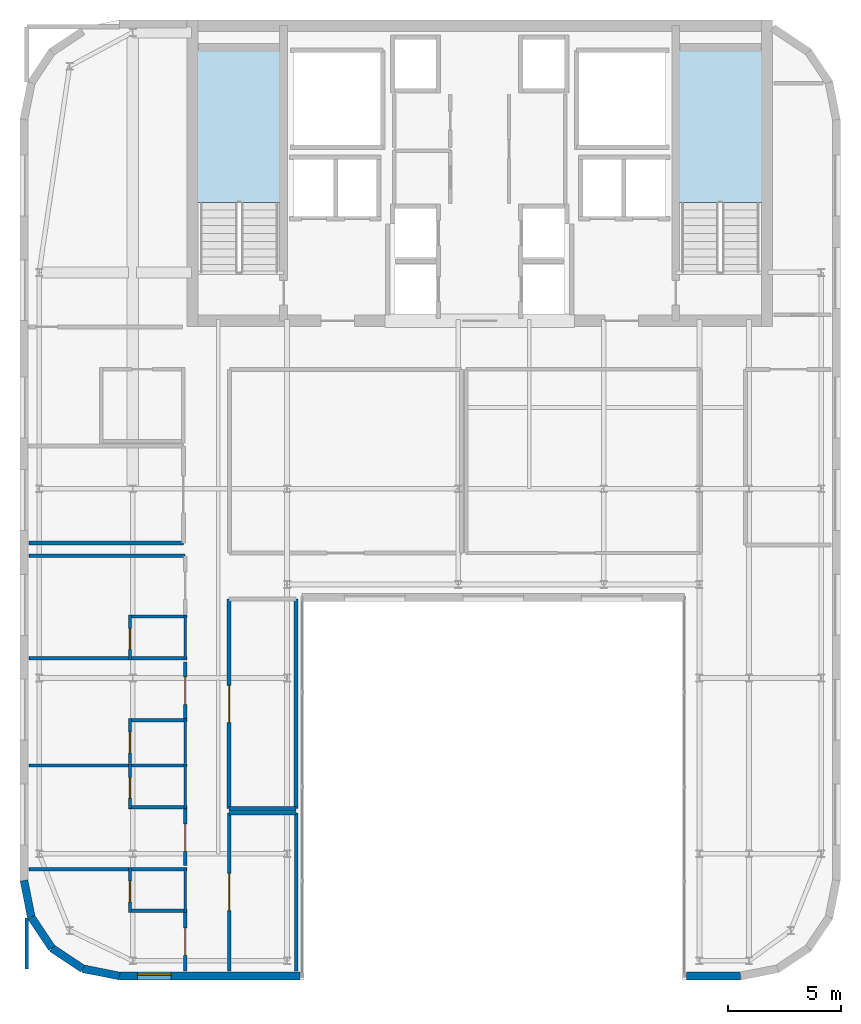
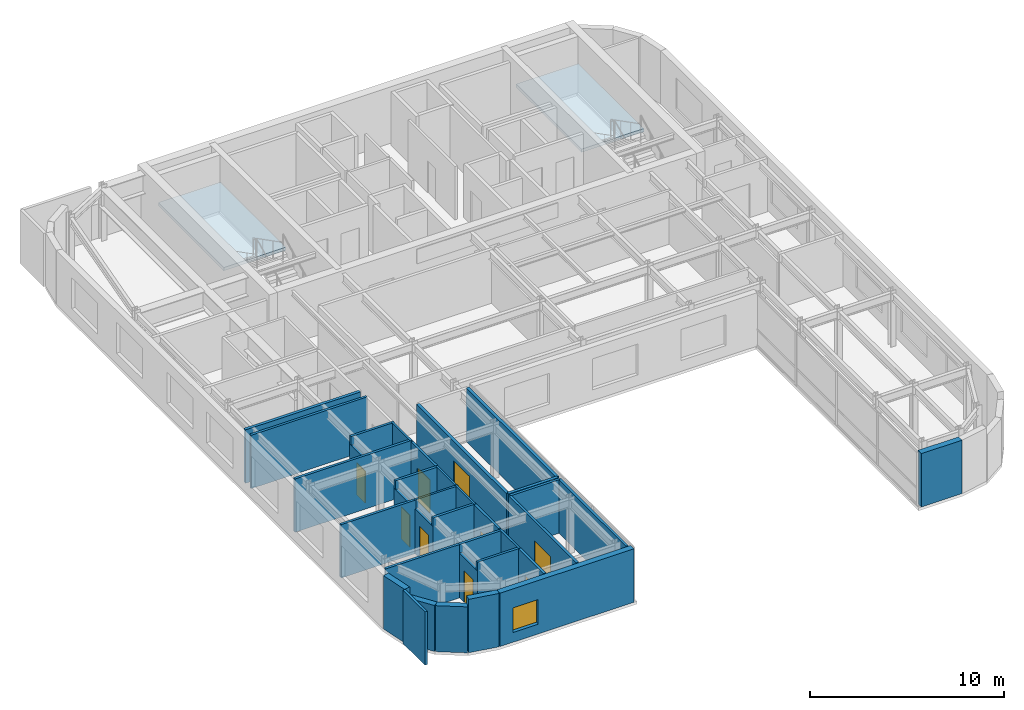
# One storey, part 13 of 18: 35 walls, 9 doors, 2 slabs, 1 window, 10 openings, 2 elements without a shape of their own.
"""IFC4 building model written with IfcOpenShell, lengths in metres."""

from ifc_helpers import new_model, si_unit, direction, frame, frame_2d, origin, place, context, subcontext, project, spatial, polyline, rectangle, outline, extrude, source, transform, mapped, material, layer, layer_set, type_object, type_shapes, element, fill, aggregate, save


model = new_model("IFC4")

# Units and contexts
model_context = context("Model", 3, precision=1e-05, world=origin(), true_north=direction((0.0, 1.0)))
body_context = subcontext(model_context, "Body", "Model", "MODEL_VIEW")
ifc_project = project(units=[si_unit("LENGTHUNIT", "METRE"), si_unit("AREAUNIT", "SQUARE_METRE"), si_unit("VOLUMEUNIT", "CUBIC_METRE"), si_unit("PLANEANGLEUNIT", "RADIAN"), si_unit("MASSUNIT", "GRAM", prefix="KILO")], contexts=[model_context])

# Site, building, storey
site_placement = place(None, origin())
site = spatial("IfcSite", under=ifc_project, at=site_placement, CompositionType="ELEMENT")
building_placement = place(site_placement, origin())
building = spatial("IfcBuilding", under=site, at=building_placement, Name="Tolvann Quenvar Hotel", CompositionType="ELEMENT")
storey_placement = place(building_placement, frame((0.0, 0.0, 245.199951171875)))
storey = spatial("IfcBuildingStorey", under=building, at=storey_placement, Name="L65", CompositionType="ELEMENT", Elevation=245.199951171875)

# Stair, slab
ifc_material_1 = material(Name="Concrete N40 (40 MPa)", Category="concrete")
stair_type = type_object("IfcStairType", Name="STAIR", PredefinedType="HALF_TURN_STAIR", material=ifc_material_1)
stair_1_placement = place(storey_placement, origin())
stair_1 = element("IfcStair", 1, at=stair_1_placement, inside=storey, type_object=stair_type, Name="L65 ST-C1", PredefinedType="HALF_TURN_STAIR")
ifc_layer_1 = layer(ifc_material_1, 0.199951171875)
ifc_layer_set_1 = layer_set([ifc_layer_1], Name="Concrete N40 (40 MPa)")
slab_type = type_object("IfcSlabType", Name="SLAB_LANDING", PredefinedType="LANDING", material=ifc_layer_set_1)
slab_1_placement = place(storey_placement, frame((0.0, 0.0, 1.574951171875)))
slab_1 = element("IfcSlab", 2, at=slab_1_placement, type_object=slab_type, Name="ST-C1 landing 1", PredefinedType="LANDING", context=body_context, shape_type="SweptSolid", body=[
    extrude(outline(polyline([(14.179931640625, 37.10498046875), (14.179931640625, 43.8798828125), (10.469970703125, 43.8798828125), (10.469970703125, 37.10498046875), (14.179931640625, 37.10498046875)])), origin(), (0.0, 0.0, 1.0), 0.2001953125),
])
aggregate(stair_1, [slab_1])

stair_2_placement = place(storey_placement, origin())
stair_2 = element("IfcStair", 3, at=stair_2_placement, inside=storey, type_object=stair_type, Name="L65 ST-C2", PredefinedType="HALF_TURN_STAIR")
slab_2_placement = place(storey_placement, frame((0.0, 0.0, 1.574951171875)))
slab_2 = element("IfcSlab", 4, at=slab_2_placement, type_object=slab_type, Name="ST-C2 landing 1", PredefinedType="LANDING", context=body_context, shape_type="SweptSolid", body=[
    extrude(outline(polyline([(35.530029296875, 37.10498046875), (35.530029296875, 43.8798828125), (31.820068359375, 43.8798828125), (31.820068359375, 37.10498046875), (35.530029296875, 37.10498046875)])), origin(), (0.0, 0.0, 1.0), 0.2001953125),
])
aggregate(stair_2, [slab_2])

# Walls
ifc_material_2 = material(Name="Kiln-fired red and buff architectural clay brickwork and terracotta masonry", Category="masonry")
ifc_layer_2 = layer(ifc_material_2, 0.35009765625)
ifc_layer_set_2 = layer_set([ifc_layer_2], Name="Kiln-fired red and buff architectural clay brickwork and terracotta masonry")
wall_type_1 = type_object("IfcWallType", Name="WALL_EXT_BRICK_350", PredefinedType="SOLIDWALL", material=ifc_layer_set_2)
for number, where, z_axis, x_axis, name in (
    (5, (3.099609375, 5.384521484375, 0.0), (0.0, 0.0, 1.0), (0.555623290322, -0.831434158098, 0.0), "Exterior Chicago Brick Wall L65-E01"),
    (6, (4.014892578125, 4.014892578125, 0.0), (0.0, 0.0, 1.0), (0.831434158098, -0.555623290322, 0.0), "Exterior Chicago Brick Wall L65-E02"),
):
    element("IfcWall", number, at=place(storey_placement, frame(where, z_axis=z_axis, x_axis=x_axis)), inside=storey, type_object=wall_type_1, Name=name, PredefinedType="SOLIDWALL", context=body_context, shape_type="SweptSolid", body=[
        extrude(rectangle(XDim=1.647216796875, YDim=0.35009765625, at=frame_2d((0.82373046875, 0.0))), origin(), (0.0, 0.0, 1.0), 2.900146484375),
    ])
wall_1_placement = place(storey_placement, frame((5.384521484375, 3.099609375, 0.0), z_axis=(0.0, 0.0, 1.0), x_axis=(0.980788844421, -0.195072403631, 0.0)))
element("IfcWall", 7, at=wall_1_placement, inside=storey, type_object=wall_type_1, Name="Exterior Chicago Brick Wall L65-E03", PredefinedType="SOLIDWALL", context=body_context, shape_type="SweptSolid", body=[
    extrude(rectangle(XDim=1.66455078125, YDim=0.35009765625, at=frame_2d((0.832275390625, 0.0))), origin(), (0.0, 0.0, 1.0), 3.3701171875),
])

# Wall, opening, window
wall_2_placement = place(storey_placement, frame((7.01708984375, 2.77490234375, 0.0), z_axis=(0.0, 0.0, 1.0), x_axis=(1.0, 0.0, 0.0)))
wall_2 = element("IfcWall", 8, at=wall_2_placement, inside=storey, type_object=wall_type_1, Name="Exterior Chicago Brick Wall L65-E04", PredefinedType="SOLIDWALL", context=body_context, shape_type="SweptSolid", body=[
    extrude(rectangle(XDim=8.0078125, YDim=0.35009765625, at=frame_2d((4.00390625, 0.0))), origin(), (0.0, 0.0, 1.0), 3.3701171875),
])
opening_1_placement = place(wall_2_placement, frame((0.791015625, 0.0, 0.6201171875)))
opening_1 = element("IfcOpeningElement", 9, at=opening_1_placement, cuts=wall_2, Name="Opening W-08", PredefinedType="OPENING", context=body_context, shape_type="SweptSolid", body=[
    extrude(rectangle(XDim=1.5, YDim=1.550048828125, at=frame_2d((0.75, 0.77490234375))), frame((0.0, 0.18505859375, 0.0), z_axis=(0.0, -1.0, 0.0), x_axis=(1.0, 0.0, 0.0)), (0.0, 0.0, 1.0), 0.3701171875),
])
ifc_material_3 = material(Name="Thermally broken bronze-anodised aluminium frame with double low-E glazing", Category="aluminium")
window_type = type_object("IfcWindowType", Name="WIN_COR_1500x2050", PartitioningType="SINGLE_PANEL", PredefinedType="WINDOW", material=ifc_material_3)
shared_shape_1 = source(origin(), body_context, "Body", "SweptSolid", [
    extrude(rectangle(XDim=1.5, YDim=1.550048828125, at=frame_2d((0.75, 0.77490234375))), frame((0.0, 0.090087890625, 0.0), z_axis=(0.0, -1.0, 0.0), x_axis=(1.0, 0.0, 0.0)), (0.0, 0.0, 1.0), 0.06005859375),
])
type_shapes(window_type, [shared_shape_1])
window_placement = place(opening_1_placement, origin())
window = element("IfcWindow", 10, at=window_placement, inside=storey, type_object=window_type, Name="Chicago Window W-08 (EW-L65-E04-WD01)", OverallHeight=1.550048828125, OverallWidth=1.5, PartitioningType="SINGLE_PANEL", PredefinedType="WINDOW", context=body_context, shape_type="MappedRepresentation", body=[
    mapped(shared_shape_1, transform((0.0, 0.0, 0.0), x_axis=(1.0, 0.0, 0.0), y_axis=(0.0, 1.0, 0.0), z_axis=(0.0, 0.0, 1.0), scale=1.0)),
])
fill(opening_1, window)

# Walls
wall_3_placement = place(storey_placement, frame((32.175048828125, 2.77490234375, 0.0), z_axis=(0.0, 0.0, 1.0), x_axis=(1.0, 0.0, 0.0)))
element("IfcWall", 11, at=wall_3_placement, inside=storey, type_object=wall_type_1, Name="Exterior Chicago Brick Wall L65-E08", PredefinedType="SOLIDWALL", context=body_context, shape_type="SweptSolid", body=[
    extrude(rectangle(XDim=2.40771484375, YDim=0.35009765625, at=frame_2d((1.203857421875, 0.0))), origin(), (0.0, 0.0, 1.0), 3.3701171875),
])
wall_4_placement = place(storey_placement, frame((2.77490234375, 7.01708984375, 0.0), z_axis=(0.0, 0.0, 1.0), x_axis=(0.195072403631, -0.980788844421, 0.0)))
element("IfcWall", 12, at=wall_4_placement, inside=storey, type_object=wall_type_1, Name="Exterior Chicago Brick Wall L65-E24", PredefinedType="SOLIDWALL", context=body_context, shape_type="SweptSolid", body=[
    extrude(rectangle(XDim=1.66455078125, YDim=0.35009765625, at=frame_2d((0.832275390625, 0.0))), origin(), (0.0, 0.0, 1.0), 3.3701171875),
])
ifc_material_4 = material(Name="Acoustic twin-stud fire-rated gypsum plasterboard partition")
ifc_layer_3 = layer(ifc_material_4, 0.179931640625)
ifc_layer_set_3 = layer_set([ifc_layer_3], Name="Acoustic twin-stud fire-rated gypsum plasterboard partition")
wall_type_2 = type_object("IfcWallType", Name="WALL_PART_ACOUSTIC_180", PredefinedType="PARTITIONING", material=ifc_layer_set_3)
wall_5_placement = place(storey_placement, frame((11.8798828125, 10.199951171875, 0.0), z_axis=(0.0, 0.0, 1.0), x_axis=(1.0, 0.0, 0.0)))
element("IfcWall", 13, at=wall_5_placement, inside=storey, type_object=wall_type_2, Name="Interior Partition PT-SPC-L65-POVL-S", PredefinedType="PARTITIONING", context=body_context, shape_type="SweptSolid", body=[
    extrude(rectangle(XDim=2.97021484375, YDim=0.179931640625, at=frame_2d((1.485107421875, 0.0))), origin(), (0.0, 0.0, 1.0), 3.3701171875),
])

# Wall, opening, door
wall_6_placement = place(storey_placement, frame((11.8798828125, 10.199951171875, 0.0), z_axis=(0.0, 0.0, 1.0), x_axis=(0.0, 1.0, 0.0)))
wall_6 = element("IfcWall", 14, at=wall_6_placement, inside=storey, type_object=wall_type_2, Name="Interior Partition PT-SPC-L65-POVL-W", PredefinedType="PARTITIONING", context=body_context, shape_type="SweptSolid", body=[
    extrude(rectangle(XDim=9.300048828125, YDim=0.179931640625, at=frame_2d((4.64990234375, 0.0))), origin(), (0.0, 0.0, 1.0), 3.3701171875),
])
opening_2_placement = place(wall_6_placement, frame((3.824951171875, 0.0, 0.0)))
opening_2 = element("IfcOpeningElement", 15, at=opening_2_placement, cuts=wall_6, Name="Opening AD-01", PredefinedType="OPENING", context=body_context, shape_type="SweptSolid", body=[
    extrude(rectangle(XDim=1.64990234375, YDim=2.14990234375, at=frame_2d((0.824951171875, 1.074951171875))), frame((0.0, 0.10009765625, 0.0), z_axis=(0.0, -1.0, 0.0), x_axis=(1.0, 0.0, 0.0)), (0.0, 0.0, 1.0), 0.199951171875),
])
ifc_material_5 = material(Name="Solid-core American oak acoustic fire door leaf in steel frame", Category="steel")
door_type_1 = type_object("IfcDoorType", Name="DOOR_SALON_1650", OperationType="NOTDEFINED", PredefinedType="DOOR", material=ifc_material_5)
shared_shape_2 = source(origin(), body_context, "Body", "SweptSolid", [
    extrude(rectangle(XDim=1.64990234375, YDim=2.14990234375, at=frame_2d((0.824951171875, 1.074951171875))), frame((0.0, 0.02490234375, 0.0), z_axis=(0.0, -1.0, 0.0), x_axis=(1.0, 0.0, 0.0)), (0.0, 0.0, 1.0), 0.050048828125),
])
type_shapes(door_type_1, [shared_shape_2])
door_1_placement = place(opening_2_placement, origin())
door_1 = element("IfcDoor", 16, at=door_1_placement, inside=storey, type_object=door_type_1, Name="Interior Door DOOR-SPC-L65-POVL", OperationType="DOUBLE_DOOR_SINGLE_SWING", OverallHeight=2.14990234375, OverallWidth=1.64990234375, PredefinedType="DOOR", context=body_context, shape_type="MappedRepresentation", body=[
    mapped(shared_shape_2, transform((0.0, 0.0, 0.0), x_axis=(1.0, 0.0, 0.0), y_axis=(0.0, 1.0, 0.0), z_axis=(0.0, 0.0, 1.0), scale=1.0)),
])
fill(opening_2, door_1)

# Walls
wall_7_placement = place(storey_placement, frame((14.85009765625, 10.199951171875, 0.0), z_axis=(0.0, 0.0, 1.0), x_axis=(0.0, 1.0, 0.0)))
element("IfcWall", 17, at=wall_7_placement, inside=storey, type_object=wall_type_2, Name="Interior Partition PT-SPC-L65-POVL-E", PredefinedType="PARTITIONING", context=body_context, shape_type="SweptSolid", body=[
    extrude(rectangle(XDim=9.300048828125, YDim=0.179931640625, at=frame_2d((4.64990234375, 0.0))), origin(), (0.0, 0.0, 1.0), 3.3701171875),
])
wall_8_placement = place(storey_placement, frame((3.0048828125, 22.0, 0.0), z_axis=(0.0, 0.0, 1.0), x_axis=(1.0, 0.0, 0.0)))
element("IfcWall", 18, at=wall_8_placement, inside=storey, type_object=wall_type_2, Name="Interior Partition PT-SPC-L65-WCLNG-S", PredefinedType="PARTITIONING", context=body_context, shape_type="SweptSolid", body=[
    extrude(rectangle(XDim=6.84521484375, YDim=0.179931640625, at=frame_2d((3.422607421875, 0.0))), origin(), (0.0, 0.0, 1.0), 3.3701171875),
])
ifc_material_6 = material(Name="Moisture-resistant acoustic plumbing wall assembly")
ifc_layer_4 = layer(ifc_material_6, 0.1201171875)
ifc_layer_set_4 = layer_set([ifc_layer_4], Name="Moisture-resistant acoustic plumbing wall assembly")
wall_type_3 = type_object("IfcWallType", Name="WALL_PART_BATH_120", PredefinedType="PLUMBINGWALL", material=ifc_layer_set_4)
wall_9_placement = place(storey_placement, frame((9.929931640625, 5.60009765625, 0.0), z_axis=(0.0, 0.0, 1.0), x_axis=(0.0, 1.0, 0.0)))
element("IfcWall", 19, at=wall_9_placement, inside=storey, type_object=wall_type_3, Name="Non-Rated Plumbing Partition PT-SPC-L65-ENS-PW01-E", PredefinedType="PLUMBINGWALL", context=body_context, shape_type="SweptSolid", body=[
    extrude(rectangle(XDim=1.989990234375, YDim=0.1201171875, at=frame_2d((0.9951171875, 0.0))), origin(), (0.0, 0.0, 1.0), 3.3701171875),
])
wall_10_placement = place(storey_placement, frame((7.409912109375, 12.1201171875, 0.0), z_axis=(0.0, 0.0, 1.0), x_axis=(1.0, 0.0, 0.0)))
element("IfcWall", 20, at=wall_10_placement, inside=storey, type_object=wall_type_3, Name="Non-Rated Plumbing Partition PT-SPC-L65-ENS-PW02-N", PredefinedType="PLUMBINGWALL", context=body_context, shape_type="SweptSolid", body=[
    extrude(rectangle(XDim=2.590087890625, YDim=0.1201171875, at=frame_2d((1.294921875, 0.0))), origin(), (0.0, 0.0, 1.0), 3.3701171875),
])
for number, where, z_axis, x_axis, name in (
    (21, (9.929931640625, 10.199951171875, 0.0), (0.0, 0.0, 1.0), (0.0, 1.0, 0.0), "Non-Rated Plumbing Partition PT-SPC-L65-ENS-PW02-E"),
    (22, (9.929931640625, 12.2099609375, 0.0), (0.0, 0.0, 1.0), (0.0, 1.0, 0.0), "Non-Rated Plumbing Partition PT-SPC-L65-ENS-PW03-E"),
    (23, (9.929931640625, 16.81005859375, 0.0), (0.0, 0.0, 1.0), (0.0, 1.0, 0.0), "Non-Rated Plumbing Partition PT-SPC-L65-ENS-PW04-E"),
):
    element("IfcWall", number, at=place(storey_placement, frame(where, z_axis=z_axis, x_axis=x_axis)), inside=storey, type_object=wall_type_3, Name=name, PredefinedType="PLUMBINGWALL", context=body_context, shape_type="SweptSolid", body=[
        extrude(rectangle(XDim=1.989990234375, YDim=0.1201171875, at=frame_2d((0.9951171875, 0.0))), origin(), (0.0, 0.0, 1.0), 3.3701171875),
    ])

# Wall, opening, door
ifc_layer_5 = layer(ifc_material_4, 0.14990234375)
ifc_layer_set_5 = layer_set([ifc_layer_5], Name="Acoustic twin-stud fire-rated gypsum plasterboard partition")
wall_type_4 = type_object("IfcWallType", Name="WALL_PART_SUITE_150", PredefinedType="PARTITIONING", material=ifc_layer_set_5)
wall_11_placement = place(storey_placement, frame((7.47998046875, 5.60009765625, 0.0), z_axis=(0.0, 0.0, 1.0), x_axis=(0.0, 1.0, 0.0)))
wall_11 = element("IfcWall", 24, at=wall_11_placement, inside=storey, type_object=wall_type_4, Name="Interior Partition PT-SPC-L65-ENS-PW01-ENT", PredefinedType="PARTITIONING", context=body_context, shape_type="SweptSolid", body=[
    extrude(rectangle(XDim=1.989990234375, YDim=0.14990234375, at=frame_2d((0.9951171875, 0.0))), origin(), (0.0, 0.0, 1.0), 2.8271484375),
])
opening_3_placement = place(wall_11_placement, frame((0.465087890625, 0.0, 0.0)))
opening_3 = element("IfcOpeningElement", 25, at=opening_3_placement, cuts=wall_11, Name="Opening WD-01", PredefinedType="OPENING", context=body_context, shape_type="SweptSolid", body=[
    extrude(rectangle(XDim=0.919921875, YDim=2.010009765625, at=frame_2d((0.4599609375, 1.0048828125))), frame((0.0, 0.0849609375, 0.0), z_axis=(0.0, -1.0, 0.0), x_axis=(1.0, 0.0, 0.0)), (0.0, 0.0, 1.0), 0.169921875),
])
door_type_2 = type_object("IfcDoorType", Name="DOOR_WC_920", OperationType="NOTDEFINED", PredefinedType="DOOR", material=ifc_material_5)
shared_shape_3 = source(origin(), body_context, "Body", "SweptSolid", [
    extrude(rectangle(XDim=0.919921875, YDim=2.010009765625, at=frame_2d((0.4599609375, 1.0048828125))), frame((0.0, 0.02490234375, 0.0), z_axis=(0.0, -1.0, 0.0), x_axis=(1.0, 0.0, 0.0)), (0.0, 0.0, 1.0), 0.050048828125),
])
type_shapes(door_type_2, [shared_shape_3])
door_2_placement = place(opening_3_placement, origin())
door_2 = element("IfcDoor", 26, at=door_2_placement, inside=storey, type_object=door_type_2, Name="Interior Door DOOR-SPC-L65-ENS-PW01", OperationType="SINGLE_SWING_LEFT", OverallHeight=2.010009765625, OverallWidth=0.919921875, PredefinedType="DOOR", context=body_context, shape_type="MappedRepresentation", body=[
    mapped(shared_shape_3, transform((0.0, 0.0, 0.0), x_axis=(1.0, 0.0, 0.0), y_axis=(0.0, 1.0, 0.0), z_axis=(0.0, 0.0, 1.0), scale=1.0)),
])
fill(opening_3, door_2)

# Walls
for number, where, z_axis, x_axis, name in (
    (27, (7.409912109375, 5.669921875, 0.0), (0.0, 0.0, 1.0), (1.0, 0.0, 0.0), "Interior Partition PT-SPC-L65-ENS-PW01-S"),
    (28, (7.409912109375, 7.52001953125, 0.0), (0.0, 0.0, 1.0), (1.0, 0.0, 0.0), "Interior Partition PT-SPC-L65-ENS-PW01-N"),
):
    element("IfcWall", number, at=place(storey_placement, frame(where, z_axis=z_axis, x_axis=x_axis)), inside=storey, type_object=wall_type_4, Name=name, PredefinedType="PARTITIONING", context=body_context, shape_type="SweptSolid", body=[
        extrude(rectangle(XDim=2.590087890625, YDim=0.14990234375, at=frame_2d((1.294921875, 0.0))), origin(), (0.0, 0.0, 1.0), 3.3701171875),
    ])

# Wall, opening, door
wall_12_placement = place(storey_placement, frame((7.47998046875, 10.199951171875, 0.0), z_axis=(0.0, 0.0, 1.0), x_axis=(0.0, 1.0, 0.0)))
wall_12 = element("IfcWall", 29, at=wall_12_placement, inside=storey, type_object=wall_type_4, Name="Interior Partition PT-SPC-L65-ENS-PW02-ENT", PredefinedType="PARTITIONING", context=body_context, shape_type="SweptSolid", body=[
    extrude(rectangle(XDim=1.989990234375, YDim=0.14990234375, at=frame_2d((0.9951171875, 0.0))), origin(), (0.0, 0.0, 1.0), 2.8271484375),
])
opening_4_placement = place(wall_12_placement, frame((0.465087890625, 0.0, 0.0)))
opening_4 = element("IfcOpeningElement", 30, at=opening_4_placement, cuts=wall_12, Name="Opening WD-01", PredefinedType="OPENING", context=body_context, shape_type="SweptSolid", body=[
    extrude(rectangle(XDim=0.919921875, YDim=2.010009765625, at=frame_2d((0.4599609375, 1.0048828125))), frame((0.0, 0.0849609375, 0.0), z_axis=(0.0, -1.0, 0.0), x_axis=(1.0, 0.0, 0.0)), (0.0, 0.0, 1.0), 0.169921875),
])
door_3_placement = place(opening_4_placement, origin())
door_3 = element("IfcDoor", 31, at=door_3_placement, inside=storey, type_object=door_type_2, Name="Interior Door DOOR-SPC-L65-ENS-PW02", OperationType="SINGLE_SWING_RIGHT", OverallHeight=2.010009765625, OverallWidth=0.919921875, PredefinedType="DOOR", context=body_context, shape_type="MappedRepresentation", body=[
    mapped(shared_shape_3, transform((0.0, 0.0, 0.0), x_axis=(1.0, 0.0, 0.0), y_axis=(0.0, 1.0, 0.0), z_axis=(0.0, 0.0, 1.0), scale=1.0)),
])
fill(opening_4, door_3)

# Wall
wall_13_placement = place(storey_placement, frame((7.409912109375, 10.27001953125, 0.0), z_axis=(0.0, 0.0, 1.0), x_axis=(1.0, 0.0, 0.0)))
element("IfcWall", 32, at=wall_13_placement, inside=storey, type_object=wall_type_4, Name="Interior Partition PT-SPC-L65-ENS-PW02-S", PredefinedType="PARTITIONING", context=body_context, shape_type="SweptSolid", body=[
    extrude(rectangle(XDim=2.590087890625, YDim=0.14990234375, at=frame_2d((1.294921875, 0.0))), origin(), (0.0, 0.0, 1.0), 3.3701171875),
])

# Wall, opening, door
wall_14_placement = place(storey_placement, frame((7.47998046875, 12.2099609375, 0.0), z_axis=(0.0, 0.0, 1.0), x_axis=(0.0, 1.0, 0.0)))
wall_14 = element("IfcWall", 33, at=wall_14_placement, inside=storey, type_object=wall_type_4, Name="Interior Partition PT-SPC-L65-ENS-PW03-ENT", PredefinedType="PARTITIONING", context=body_context, shape_type="SweptSolid", body=[
    extrude(rectangle(XDim=1.989990234375, YDim=0.14990234375, at=frame_2d((0.9951171875, 0.0))), origin(), (0.0, 0.0, 1.0), 2.8271484375),
])
opening_5_placement = place(wall_14_placement, frame((0.465087890625, 0.0, 0.0)))
opening_5 = element("IfcOpeningElement", 34, at=opening_5_placement, cuts=wall_14, Name="Opening WD-01", PredefinedType="OPENING", context=body_context, shape_type="SweptSolid", body=[
    extrude(rectangle(XDim=0.919921875, YDim=2.010009765625, at=frame_2d((0.4599609375, 1.0048828125))), frame((0.0, 0.0849609375, 0.0), z_axis=(0.0, -1.0, 0.0), x_axis=(1.0, 0.0, 0.0)), (0.0, 0.0, 1.0), 0.169921875),
])
door_4_placement = place(opening_5_placement, origin())
door_4 = element("IfcDoor", 35, at=door_4_placement, inside=storey, type_object=door_type_2, Name="Interior Door DOOR-SPC-L65-ENS-PW03", OperationType="SINGLE_SWING_LEFT", OverallHeight=2.010009765625, OverallWidth=0.919921875, PredefinedType="DOOR", context=body_context, shape_type="MappedRepresentation", body=[
    mapped(shared_shape_3, transform((0.0, 0.0, 0.0), x_axis=(1.0, 0.0, 0.0), y_axis=(0.0, 1.0, 0.0), z_axis=(0.0, 0.0, 1.0), scale=1.0)),
])
fill(opening_5, door_4)

# Wall
wall_15_placement = place(storey_placement, frame((7.409912109375, 14.1298828125, 0.0), z_axis=(0.0, 0.0, 1.0), x_axis=(1.0, 0.0, 0.0)))
element("IfcWall", 36, at=wall_15_placement, inside=storey, type_object=wall_type_4, Name="Interior Partition PT-SPC-L65-ENS-PW03-N", PredefinedType="PARTITIONING", context=body_context, shape_type="SweptSolid", body=[
    extrude(rectangle(XDim=2.590087890625, YDim=0.14990234375, at=frame_2d((1.294921875, 0.0))), origin(), (0.0, 0.0, 1.0), 3.3701171875),
])

# Wall, opening, door
wall_16_placement = place(storey_placement, frame((7.47998046875, 16.81005859375, 0.0), z_axis=(0.0, 0.0, 1.0), x_axis=(0.0, 1.0, 0.0)))
wall_16 = element("IfcWall", 37, at=wall_16_placement, inside=storey, type_object=wall_type_4, Name="Interior Partition PT-SPC-L65-ENS-PW04-ENT", PredefinedType="PARTITIONING", context=body_context, shape_type="SweptSolid", body=[
    extrude(rectangle(XDim=1.989990234375, YDim=0.14990234375, at=frame_2d((0.9951171875, 0.0))), origin(), (0.0, 0.0, 1.0), 2.8271484375),
])
opening_6_placement = place(wall_16_placement, frame((0.465087890625, 0.0, 0.0)))
opening_6 = element("IfcOpeningElement", 38, at=opening_6_placement, cuts=wall_16, Name="Opening WD-01", PredefinedType="OPENING", context=body_context, shape_type="SweptSolid", body=[
    extrude(rectangle(XDim=0.919921875, YDim=2.010009765625, at=frame_2d((0.4599609375, 1.0048828125))), frame((0.0, 0.0849609375, 0.0), z_axis=(0.0, -1.0, 0.0), x_axis=(1.0, 0.0, 0.0)), (0.0, 0.0, 1.0), 0.169921875),
])
door_5_placement = place(opening_6_placement, origin())
door_5 = element("IfcDoor", 39, at=door_5_placement, inside=storey, type_object=door_type_2, Name="Interior Door DOOR-SPC-L65-ENS-PW04", OperationType="SINGLE_SWING_RIGHT", OverallHeight=2.010009765625, OverallWidth=0.919921875, PredefinedType="DOOR", context=body_context, shape_type="MappedRepresentation", body=[
    mapped(shared_shape_3, transform((0.0, 0.0, 0.0), x_axis=(1.0, 0.0, 0.0), y_axis=(0.0, 1.0, 0.0), z_axis=(0.0, 0.0, 1.0), scale=1.0)),
])
fill(opening_6, door_5)

# Walls
wall_17_placement = place(storey_placement, frame((3.0048828125, 16.8798828125, 0.0), z_axis=(0.0, 0.0, 1.0), x_axis=(1.0, 0.0, 0.0)))
element("IfcWall", 40, at=wall_17_placement, inside=storey, type_object=wall_type_4, Name="Interior Partition PT-SPC-L65-ENS-PW04-S", PredefinedType="PARTITIONING", context=body_context, shape_type="SweptSolid", body=[
    extrude(rectangle(XDim=6.9951171875, YDim=0.14990234375, at=frame_2d((3.49755859375, 0.0))), origin(), (0.0, 0.0, 1.0), 3.3701171875),
])
wall_18_placement = place(storey_placement, frame((7.409912109375, 18.72998046875, 0.0), z_axis=(0.0, 0.0, 1.0), x_axis=(1.0, 0.0, 0.0)))
element("IfcWall", 41, at=wall_18_placement, inside=storey, type_object=wall_type_4, Name="Interior Partition PT-SPC-L65-ENS-PW04-N", PredefinedType="PARTITIONING", context=body_context, shape_type="SweptSolid", body=[
    extrude(rectangle(XDim=2.590087890625, YDim=0.14990234375, at=frame_2d((1.294921875, 0.0))), origin(), (0.0, 0.0, 1.0), 3.3701171875),
])

# Wall, opening, door
wall_19_placement = place(storey_placement, frame((9.929931640625, 3.0048828125, 0.0), z_axis=(0.0, 0.0, 1.0), x_axis=(0.0, 1.0, 0.0)))
wall_19 = element("IfcWall", 42, at=wall_19_placement, inside=storey, type_object=wall_type_4, Name="Interior Partition PT-SPC-L65-RM-PW01-ENT", PredefinedType="PARTITIONING", context=body_context, shape_type="SweptSolid", body=[
    extrude(rectangle(XDim=2.585205078125, YDim=0.14990234375, at=frame_2d((1.29248046875, 0.0))), origin(), (0.0, 0.0, 1.0), 3.3701171875),
])
opening_7_placement = place(wall_19_placement, frame((0.68994140625, 0.0, 0.0)))
opening_7 = element("IfcOpeningElement", 43, at=opening_7_placement, cuts=wall_19, Name="Opening SD-02", PredefinedType="OPENING", context=body_context, shape_type="SweptSolid", body=[
    extrude(rectangle(XDim=1.219970703125, YDim=2.080078125, at=frame_2d((0.60986328125, 1.0400390625))), frame((0.0, 0.0849609375, 0.0), z_axis=(0.0, -1.0, 0.0), x_axis=(1.0, 0.0, 0.0)), (0.0, 0.0, 1.0), 0.169921875),
])
door_type_3 = type_object("IfcDoorType", Name="DOOR_VIP_1220", OperationType="NOTDEFINED", PredefinedType="DOOR", material=ifc_material_5)
shared_shape_4 = source(origin(), body_context, "Body", "SweptSolid", [
    extrude(rectangle(XDim=1.219970703125, YDim=2.080078125, at=frame_2d((0.60986328125, 1.0400390625))), frame((0.0, 0.02490234375, 0.0), z_axis=(0.0, -1.0, 0.0), x_axis=(1.0, 0.0, 0.0)), (0.0, 0.0, 1.0), 0.050048828125),
])
type_shapes(door_type_3, [shared_shape_4])
door_6_placement = place(opening_7_placement, origin())
door_6 = element("IfcDoor", 44, at=door_6_placement, inside=storey, type_object=door_type_3, Name="Interior Door DOOR-SPC-L65-RM-PW01", OperationType="SINGLE_SWING_RIGHT", OverallHeight=2.080078125, OverallWidth=1.219970703125, PredefinedType="DOOR", context=body_context, shape_type="MappedRepresentation", body=[
    mapped(shared_shape_4, transform((0.0, 0.0, 0.0), x_axis=(1.0, 0.0, 0.0), y_axis=(0.0, 1.0, 0.0), z_axis=(0.0, 0.0, 1.0), scale=1.0)),
])
fill(opening_7, door_6)

# Walls
wall_20_placement = place(storey_placement, frame((3.0048828125, 7.52001953125, 0.0), z_axis=(0.0, 0.0, 1.0), x_axis=(1.0, 0.0, 0.0)))
element("IfcWall", 45, at=wall_20_placement, inside=storey, type_object=wall_type_4, Name="Interior Partition PT-SPC-L65-RM-PW01-E5", PredefinedType="PARTITIONING", context=body_context, shape_type="SweptSolid", body=[
    extrude(rectangle(XDim=4.455078125, YDim=0.14990234375, at=frame_2d((2.2275390625, 0.0))), origin(), (0.0, 0.0, 1.0), 3.3701171875),
])
wall_21_placement = place(storey_placement, frame((2.89990234375, 3.080078125, 0.0), z_axis=(0.0, 0.0, 1.0), x_axis=(0.0, 1.0, 0.0)))
element("IfcWall", 46, at=wall_21_placement, inside=storey, type_object=wall_type_4, Name="Interior Partition PT-SPC-L65-RM-PW01-E6", PredefinedType="PARTITIONING", context=body_context, shape_type="SweptSolid", body=[
    extrude(rectangle(XDim=2.264892578125, YDim=0.14990234375, at=frame_2d((1.13232421875, 0.0))), origin(), (0.0, 0.0, 1.0), 3.3701171875),
])

# Wall, opening, door
wall_22_placement = place(storey_placement, frame((9.929931640625, 7.679931640625, 0.0), z_axis=(0.0, 0.0, 1.0), x_axis=(0.0, 1.0, 0.0)))
wall_22 = element("IfcWall", 47, at=wall_22_placement, inside=storey, type_object=wall_type_4, Name="Interior Partition PT-SPC-L65-RM-PW02-ENT", PredefinedType="PARTITIONING", context=body_context, shape_type="SweptSolid", body=[
    extrude(rectangle(XDim=2.510009765625, YDim=0.14990234375, at=frame_2d((1.2548828125, 0.0))), origin(), (0.0, 0.0, 1.0), 3.3701171875),
])
opening_8_placement = place(wall_22_placement, frame((0.625, 0.0, 0.0)))
opening_8 = element("IfcOpeningElement", 48, at=opening_8_placement, cuts=wall_22, Name="Opening SD-02", PredefinedType="OPENING", context=body_context, shape_type="SweptSolid", body=[
    extrude(rectangle(XDim=1.219970703125, YDim=2.080078125, at=frame_2d((0.60986328125, 1.0400390625))), frame((0.0, 0.0849609375, 0.0), z_axis=(0.0, -1.0, 0.0), x_axis=(1.0, 0.0, 0.0)), (0.0, 0.0, 1.0), 0.169921875),
])
door_7_placement = place(opening_8_placement, origin())
door_7 = element("IfcDoor", 49, at=door_7_placement, inside=storey, type_object=door_type_3, Name="Interior Door DOOR-SPC-L65-RM-PW02", OperationType="SINGLE_SWING_LEFT", OverallHeight=2.080078125, OverallWidth=1.219970703125, PredefinedType="DOOR", context=body_context, shape_type="MappedRepresentation", body=[
    mapped(shared_shape_4, transform((0.0, 0.0, 0.0), x_axis=(1.0, 0.0, 0.0), y_axis=(0.0, 1.0, 0.0), z_axis=(0.0, 0.0, 1.0), scale=1.0)),
])
fill(opening_8, door_7)

# Wall
wall_23_placement = place(storey_placement, frame((3.0048828125, 12.1201171875, 0.0), z_axis=(0.0, 0.0, 1.0), x_axis=(1.0, 0.0, 0.0)))
element("IfcWall", 50, at=wall_23_placement, inside=storey, type_object=wall_type_4, Name="Interior Partition PT-SPC-L65-RM-PW02-E5", PredefinedType="PARTITIONING", context=body_context, shape_type="SweptSolid", body=[
    extrude(rectangle(XDim=4.455078125, YDim=0.14990234375, at=frame_2d((2.2275390625, 0.0))), origin(), (0.0, 0.0, 1.0), 3.3701171875),
])

# Wall, opening, door
wall_24_placement = place(storey_placement, frame((9.929931640625, 14.2099609375, 0.0), z_axis=(0.0, 0.0, 1.0), x_axis=(0.0, 1.0, 0.0)))
wall_24 = element("IfcWall", 51, at=wall_24_placement, inside=storey, type_object=wall_type_4, Name="Interior Partition PT-SPC-L65-RM-PW03-ENT", PredefinedType="PARTITIONING", context=body_context, shape_type="SweptSolid", body=[
    extrude(rectangle(XDim=2.510009765625, YDim=0.14990234375, at=frame_2d((1.2548828125, 0.0))), origin(), (0.0, 0.0, 1.0), 3.3701171875),
])
opening_9_placement = place(wall_24_placement, frame((0.625, 0.0, 0.0)))
opening_9 = element("IfcOpeningElement", 52, at=opening_9_placement, cuts=wall_24, Name="Opening SD-02", PredefinedType="OPENING", context=body_context, shape_type="SweptSolid", body=[
    extrude(rectangle(XDim=1.219970703125, YDim=2.080078125, at=frame_2d((0.60986328125, 1.0400390625))), frame((0.0, 0.0849609375, 0.0), z_axis=(0.0, -1.0, 0.0), x_axis=(1.0, 0.0, 0.0)), (0.0, 0.0, 1.0), 0.169921875),
])
door_8_placement = place(opening_9_placement, origin())
door_8 = element("IfcDoor", 53, at=door_8_placement, inside=storey, type_object=door_type_3, Name="Interior Door DOOR-SPC-L65-RM-PW03", OperationType="SINGLE_SWING_RIGHT", OverallHeight=2.080078125, OverallWidth=1.219970703125, PredefinedType="DOOR", context=body_context, shape_type="MappedRepresentation", body=[
    mapped(shared_shape_4, transform((0.0, 0.0, 0.0), x_axis=(1.0, 0.0, 0.0), y_axis=(0.0, 1.0, 0.0), z_axis=(0.0, 0.0, 1.0), scale=1.0)),
])
fill(opening_9, door_8)

# Walls
wall_25_placement = place(storey_placement, frame((3.0048828125, 21.419921875, 0.0), z_axis=(0.0, 0.0, 1.0), x_axis=(1.0, 0.0, 0.0)))
element("IfcWall", 54, at=wall_25_placement, inside=storey, type_object=wall_type_4, Name="Interior Partition PT-SPC-L65-RM-PW04-E5", PredefinedType="PARTITIONING", context=body_context, shape_type="SweptSolid", body=[
    extrude(rectangle(XDim=6.925048828125, YDim=0.14990234375, at=frame_2d((3.46240234375, 0.0))), origin(), (0.0, 0.0, 1.0), 3.3701171875),
])
wall_26_placement = place(storey_placement, frame((11.8798828125, 10.0, 0.0), z_axis=(0.0, 0.0, 1.0), x_axis=(1.0, 0.0, 0.0)))
element("IfcWall", 55, at=wall_26_placement, inside=storey, type_object=wall_type_4, Name="Interior Partition PT-SPC-L65-PSOUTH-N", PredefinedType="PARTITIONING", context=body_context, shape_type="SweptSolid", body=[
    extrude(rectangle(XDim=2.97021484375, YDim=0.14990234375, at=frame_2d((1.485107421875, 0.0))), origin(), (0.0, 0.0, 1.0), 3.3701171875),
])

# Wall, opening, door
wall_27_placement = place(storey_placement, frame((11.8798828125, 3.0048828125, 0.0), z_axis=(0.0, 0.0, 1.0), x_axis=(0.0, 1.0, 0.0)))
wall_27 = element("IfcWall", 56, at=wall_27_placement, inside=storey, type_object=wall_type_4, Name="Interior Partition PT-SPC-L65-PSOUTH-W", PredefinedType="PARTITIONING", context=body_context, shape_type="SweptSolid", body=[
    extrude(rectangle(XDim=6.9951171875, YDim=0.14990234375, at=frame_2d((3.49755859375, 0.0))), origin(), (0.0, 0.0, 1.0), 3.3701171875),
])
opening_10_placement = place(wall_27_placement, frame((2.672607421875, 0.0, 0.0)))
opening_10 = element("IfcOpeningElement", 57, at=opening_10_placement, cuts=wall_27, Name="Opening AD-01", PredefinedType="OPENING", context=body_context, shape_type="SweptSolid", body=[
    extrude(rectangle(XDim=1.64990234375, YDim=2.14990234375, at=frame_2d((0.824951171875, 1.074951171875))), frame((0.0, 0.0849609375, 0.0), z_axis=(0.0, -1.0, 0.0), x_axis=(1.0, 0.0, 0.0)), (0.0, 0.0, 1.0), 0.169921875),
])
door_9_placement = place(opening_10_placement, origin())
door_9 = element("IfcDoor", 58, at=door_9_placement, inside=storey, type_object=door_type_1, Name="Interior Door DOOR-SPC-L65-PSOUTH", OperationType="DOUBLE_DOOR_SINGLE_SWING", OverallHeight=2.14990234375, OverallWidth=1.64990234375, PredefinedType="DOOR", context=body_context, shape_type="MappedRepresentation", body=[
    mapped(shared_shape_2, transform((0.0, 0.0, 0.0), x_axis=(1.0, 0.0, 0.0), y_axis=(0.0, 1.0, 0.0), z_axis=(0.0, 0.0, 1.0), scale=1.0)),
])
fill(opening_10, door_9)

# Wall
wall_28_placement = place(storey_placement, frame((14.85009765625, 3.0048828125, 0.0), z_axis=(0.0, 0.0, 1.0), x_axis=(0.0, 1.0, 0.0)))
element("IfcWall", 59, at=wall_28_placement, inside=storey, type_object=wall_type_4, Name="Interior Partition PT-SPC-L65-PSOUTH-E", PredefinedType="PARTITIONING", context=body_context, shape_type="SweptSolid", body=[
    extrude(rectangle(XDim=6.9951171875, YDim=0.14990234375, at=frame_2d((3.49755859375, 0.0))), origin(), (0.0, 0.0, 1.0), 3.3701171875),
])

save(model, "model.ifc")
